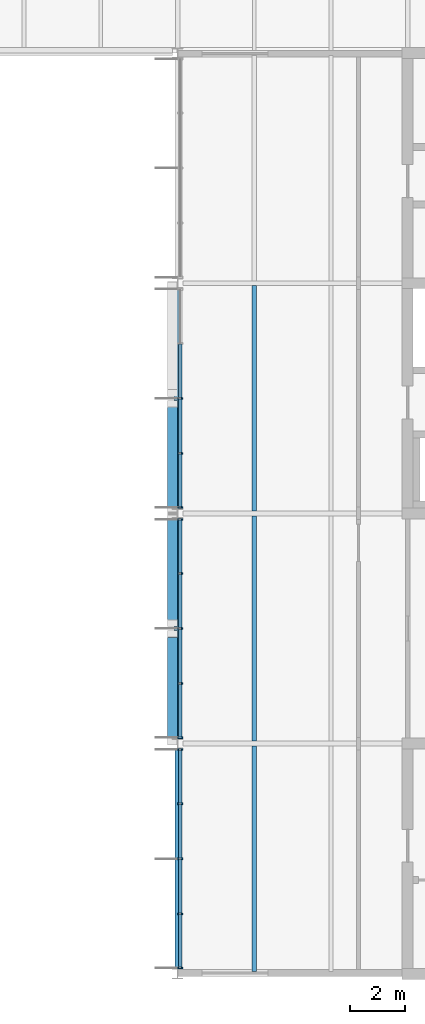
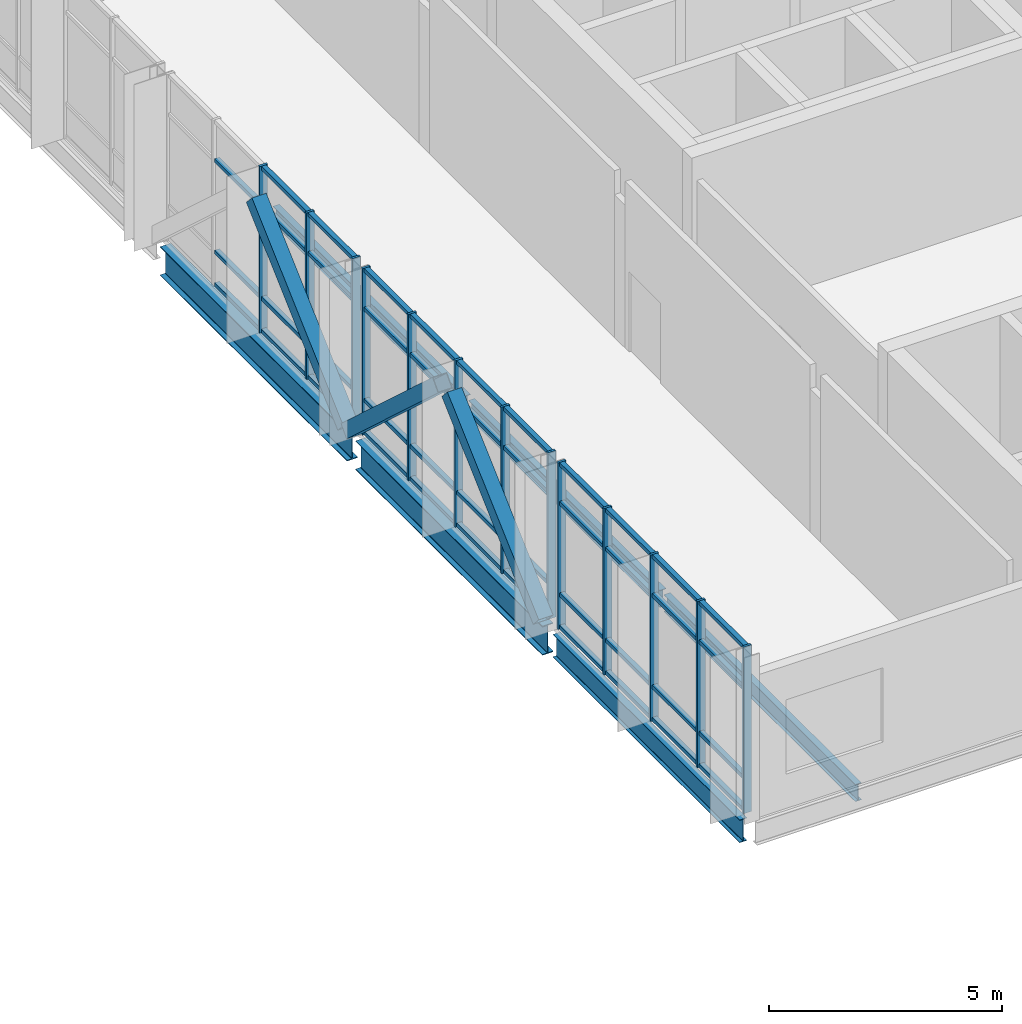
# One storey, part 5 of 26: 59 members, 6 beams, 3 elements without a shape of their own.
"""IFC4 building model written with IfcOpenShell, lengths in metres."""

from ifc_helpers import new_model, si_unit, direction, frame, origin, origin_2d, place, context, subcontext, project, spatial, rectangle, hollow_rectangle, i_section, extrude, material, material_profile, profile_set, type_object, element, aggregate, save


model = new_model("IFC4")

# Units and contexts
model_context = context("Model", 3, precision=1e-05, world=origin(), true_north=direction((0.0, 1.0)))
body_context = subcontext(model_context, "Body", "Model", "MODEL_VIEW")
ifc_project = project(units=[si_unit("LENGTHUNIT", "METRE"), si_unit("AREAUNIT", "SQUARE_METRE"), si_unit("VOLUMEUNIT", "CUBIC_METRE"), si_unit("PLANEANGLEUNIT", "RADIAN"), si_unit("MASSUNIT", "GRAM", prefix="KILO")], contexts=[model_context])

# Site, building, storey
site_placement = place(None, origin())
site = spatial("IfcSite", under=ifc_project, at=site_placement, CompositionType="ELEMENT")
building_placement = place(site_placement, origin())
building = spatial("IfcBuilding", under=site, at=building_placement, Name="Hlaing Beacon Police Headquarters", CompositionType="ELEMENT")
storey_placement = place(building_placement, frame((0.0, 0.0, 23.39990234375)))
storey = spatial("IfcBuildingStorey", under=building, at=storey_placement, Name="L05", CompositionType="ELEMENT", Elevation=23.39990234375)

# Members
ifc_material_1 = material(Name="Steel ASTM A500 Grade C", Category="steel")
ifc_material_profile_1 = material_profile(ifc_material_1, hollow_rectangle(XDim=0.355712890625, YDim=0.355712890625, WallThickness=0.0126953125, at=origin_2d()), Name="HSS14x14x1/2")
ifc_profile_set_1 = profile_set([ifc_material_profile_1], Name="Steel ASTM A500 Grade C")
member_type_1 = type_object("IfcMemberType", Name="Chevron brace HSS14x14x1/2", PredefinedType="BRACE", material=ifc_profile_set_1)
for number, where, z_axis, x_axis, name in (
    (1, (100.6181640625, 42.071044921875, 0.131103515625), (0.0, 0.73795116487, 0.674854116286), (-1.0, 0.0, 0.0), "STR-BR-L05-N6a"),
    (2, (100.6181640625, 50.3291015625, 0.131103515625), (0.0, -0.737972047652, 0.674831280309), (1.0, 0.0, 0.0), "STR-BR-L05-N6b"),
    (3, (100.6181640625, 50.470947265625, 0.131103515625), (0.0, 0.73795116487, 0.674854116286), (-1.0, 0.0, 0.0), "STR-BR-L05-N7a"),
):
    element("IfcMember", number, at=place(storey_placement, frame(where, z_axis=z_axis, x_axis=x_axis)), inside=storey, type_object=member_type_1, Name=name, PredefinedType="BRACE", context=body_context, shape_type="SweptSolid", body=[
        extrude(hollow_rectangle(XDim=0.355712890625, YDim=0.355712890625, WallThickness=0.0126953125, at=origin_2d()), origin(), (0.0, 0.0, 1.0), 5.32421875),
    ])

# Beams
ifc_material_2 = material(Name="Steel ASTM A992 Grade 50", Category="steel")
ifc_material_profile_2 = material_profile(ifc_material_2, i_section(OverallWidth=0.177978515625, OverallDepth=0.599365234375, WebThickness=0.010009765625, FlangeThickness=0.012939453125, FilletRadius=0.012939453125, at=origin_2d()), Name="W24x55")
ifc_profile_set_2 = profile_set([ifc_material_profile_2], Name="Steel ASTM A992 Grade 50")
beam_type_1 = type_object("IfcBeamType", Name="Girder W24x55", PredefinedType="BEAM", material=ifc_profile_set_2)
beam_1_placement = place(storey_placement, frame((100.800048828125, 33.783935546875, -0.4296875), z_axis=(0.0, 1.0, 0.0), x_axis=(-1.0, 0.0, 0.0)))
element("IfcBeam", 4, at=beam_1_placement, inside=storey, type_object=beam_type_1, Name="STR-BM-L05-GY-N5-N6", PredefinedType="BEAM", context=body_context, shape_type="SweptSolid", body=[
    extrude(i_section(OverallWidth=0.177978515625, OverallDepth=0.599365234375, WebThickness=0.010009765625, FlangeThickness=0.012939453125, FilletRadius=0.012939453125, at=origin_2d()), origin(), (0.0, 0.0, 1.0), 8.028076171875),
])
ifc_material_3 = material(Name="Steel ASTM A992 Grade 50", Category="steel")
ifc_material_profile_3 = material_profile(ifc_material_3, i_section(OverallWidth=0.2666015625, OverallDepth=0.761962890625, WebThickness=0.014404296875, FlangeThickness=0.021484375, FilletRadius=0.0166015625, at=origin_2d()), Name="W30x116")
ifc_profile_set_3 = profile_set([ifc_material_profile_3], Name="Steel ASTM A992 Grade 50")
beam_type_2 = type_object("IfcBeamType", Name="Girder W30x116", PredefinedType="BEAM", material=ifc_profile_set_3)
beam_2_placement = place(storey_placement, frame((100.800048828125, 42.18798828125, -0.510986328125), z_axis=(0.0, 1.0, 0.0), x_axis=(-1.0, 0.0, 0.0)))
element("IfcBeam", 5, at=beam_2_placement, inside=storey, type_object=beam_type_2, Name="STR-BM-L05-GY-N6-N7", PredefinedType="BEAM", context=body_context, shape_type="SweptSolid", body=[
    extrude(i_section(OverallWidth=0.2666015625, OverallDepth=0.761962890625, WebThickness=0.014404296875, FlangeThickness=0.021484375, FilletRadius=0.0166015625, at=origin_2d()), origin(), (0.0, 0.0, 1.0), 8.02392578125),
])
beam_3_placement = place(storey_placement, frame((100.800048828125, 50.587890625, -0.510986328125), z_axis=(0.0, 1.0, 0.0), x_axis=(-1.0, 0.0, 0.0)))
element("IfcBeam", 6, at=beam_3_placement, inside=storey, type_object=beam_type_2, Name="STR-BM-L05-GY-N7-N8", PredefinedType="BEAM", context=body_context, shape_type="SweptSolid", body=[
    extrude(i_section(OverallWidth=0.2666015625, OverallDepth=0.761962890625, WebThickness=0.014404296875, FlangeThickness=0.021484375, FilletRadius=0.0166015625, at=origin_2d()), origin(), (0.0, 0.0, 1.0), 8.024169921875),
])

# Curtain wall, members
ifc_material_4 = material(Name="Aluminium frame with solar control glazing", Category="aluminium")
curtain_wall_type = type_object("IfcCurtainWallType", Name="Unitised curtain wall 8.03 x 4.37", PredefinedType="NOTDEFINED", material=ifc_material_4)
curtain_wall_1_placement = place(storey_placement, origin())
curtain_wall_1 = element("IfcCurtainWall", 7, at=curtain_wall_1_placement, inside=storey, type_object=curtain_wall_type, Name="ENV-CW-L05-W006", PredefinedType="NOTDEFINED")
ifc_material_5 = material(Name="Aluminium", Category="aluminium")
ifc_material_profile_4 = material_profile(ifc_material_5, rectangle(XDim=0.199951171875, YDim=0.06005859375, at=origin_2d()), Name="Mullion 60x200")
ifc_profile_set_4 = profile_set([ifc_material_profile_4], Name="Aluminium")
member_type_2 = type_object("IfcMemberType", Name="Mullion 60x200", PredefinedType="MULLION", material=ifc_profile_set_4)
member_1_placement = place(storey_placement, frame((100.89990234375, 54.60009765625, 0.0), z_axis=(0.0, 0.0, 1.0), x_axis=(1.0, 0.0, 0.0)))
member_1 = element("IfcMember", 8, at=member_1_placement, type_object=member_type_2, Name="CW-L05-W006 mullion 3", PredefinedType="MULLION", context=body_context, shape_type="SweptSolid", body=[
    extrude(rectangle(XDim=0.199951171875, YDim=0.06005859375, at=origin_2d()), origin(), (0.0, 0.0, 1.0), 4.3701171875),
])
member_2_placement = place(storey_placement, frame((100.89990234375, 52.59326171875, 0.0), z_axis=(0.0, 0.0, 1.0), x_axis=(1.0, 0.0, 0.0)))
member_2 = element("IfcMember", 9, at=member_2_placement, type_object=member_type_2, Name="CW-L05-W006 mullion 4", PredefinedType="MULLION", context=body_context, shape_type="SweptSolid", body=[
    extrude(rectangle(XDim=0.199951171875, YDim=0.06005859375, at=origin_2d()), origin(), (0.0, 0.0, 1.0), 4.3701171875),
])
member_3_placement = place(storey_placement, frame((100.89990234375, 50.61669921875, 0.0), z_axis=(0.0, 0.0, 1.0), x_axis=(1.0, 0.0, 0.0)))
member_3 = element("IfcMember", 10, at=member_3_placement, type_object=member_type_2, Name="CW-L05-W006 mullion 5", PredefinedType="MULLION", context=body_context, shape_type="SweptSolid", body=[
    extrude(rectangle(XDim=0.199951171875, YDim=0.06005859375, at=origin_2d()), origin(), (0.0, 0.0, 1.0), 4.3701171875),
])

curtain_wall_2_placement = place(storey_placement, origin())
curtain_wall_2 = element("IfcCurtainWall", 11, at=curtain_wall_2_placement, inside=storey, type_object=curtain_wall_type, Name="ENV-CW-L05-W007", PredefinedType="NOTDEFINED")
member_4_placement = place(storey_placement, frame((100.89990234375, 50.183349609375, 0.0), z_axis=(0.0, 0.0, 1.0), x_axis=(1.0, 0.0, 0.0)))
member_4 = element("IfcMember", 12, at=member_4_placement, type_object=member_type_2, Name="CW-L05-W007 mullion 1", PredefinedType="MULLION", context=body_context, shape_type="SweptSolid", body=[
    extrude(rectangle(XDim=0.199951171875, YDim=0.06005859375, at=origin_2d()), origin(), (0.0, 0.0, 1.0), 4.3701171875),
])
member_5_placement = place(storey_placement, frame((100.89990234375, 48.20654296875, 0.0), z_axis=(0.0, 0.0, 1.0), x_axis=(1.0, 0.0, 0.0)))
member_5 = element("IfcMember", 13, at=member_5_placement, type_object=member_type_2, Name="CW-L05-W007 mullion 2", PredefinedType="MULLION", context=body_context, shape_type="SweptSolid", body=[
    extrude(rectangle(XDim=0.199951171875, YDim=0.06005859375, at=origin_2d()), origin(), (0.0, 0.0, 1.0), 4.3701171875),
])
member_6_placement = place(storey_placement, frame((100.89990234375, 46.199951171875, 0.0), z_axis=(0.0, 0.0, 1.0), x_axis=(1.0, 0.0, 0.0)))
member_6 = element("IfcMember", 14, at=member_6_placement, type_object=member_type_2, Name="CW-L05-W007 mullion 3", PredefinedType="MULLION", context=body_context, shape_type="SweptSolid", body=[
    extrude(rectangle(XDim=0.199951171875, YDim=0.06005859375, at=origin_2d()), origin(), (0.0, 0.0, 1.0), 4.3701171875),
])
member_7_placement = place(storey_placement, frame((100.89990234375, 44.193359375, 0.0), z_axis=(0.0, 0.0, 1.0), x_axis=(1.0, 0.0, 0.0)))
member_7 = element("IfcMember", 15, at=member_7_placement, type_object=member_type_2, Name="CW-L05-W007 mullion 4", PredefinedType="MULLION", context=body_context, shape_type="SweptSolid", body=[
    extrude(rectangle(XDim=0.199951171875, YDim=0.06005859375, at=origin_2d()), origin(), (0.0, 0.0, 1.0), 4.3701171875),
])
member_8_placement = place(storey_placement, frame((100.89990234375, 42.216796875, 0.0), z_axis=(0.0, 0.0, 1.0), x_axis=(1.0, 0.0, 0.0)))
member_8 = element("IfcMember", 16, at=member_8_placement, type_object=member_type_2, Name="CW-L05-W007 mullion 5", PredefinedType="MULLION", context=body_context, shape_type="SweptSolid", body=[
    extrude(rectangle(XDim=0.199951171875, YDim=0.06005859375, at=origin_2d()), origin(), (0.0, 0.0, 1.0), 4.3701171875),
])

curtain_wall_3_placement = place(storey_placement, origin())
curtain_wall_3 = element("IfcCurtainWall", 17, at=curtain_wall_3_placement, inside=storey, type_object=curtain_wall_type, Name="ENV-CW-L05-W008", PredefinedType="NOTDEFINED")
member_9_placement = place(storey_placement, frame((100.89990234375, 41.783203125, 0.0), z_axis=(0.0, 0.0, 1.0), x_axis=(1.0, 0.0, 0.0)))
member_9 = element("IfcMember", 18, at=member_9_placement, type_object=member_type_2, Name="CW-L05-W008 mullion 1", PredefinedType="MULLION", context=body_context, shape_type="SweptSolid", body=[
    extrude(rectangle(XDim=0.199951171875, YDim=0.06005859375, at=origin_2d()), origin(), (0.0, 0.0, 1.0), 4.3701171875),
])
member_10_placement = place(storey_placement, frame((100.89990234375, 39.805419921875, 0.0), z_axis=(0.0, 0.0, 1.0), x_axis=(1.0, 0.0, 0.0)))
member_10 = element("IfcMember", 19, at=member_10_placement, type_object=member_type_2, Name="CW-L05-W008 mullion 2", PredefinedType="MULLION", context=body_context, shape_type="SweptSolid", body=[
    extrude(rectangle(XDim=0.199951171875, YDim=0.06005859375, at=origin_2d()), origin(), (0.0, 0.0, 1.0), 4.3701171875),
])
member_11_placement = place(storey_placement, frame((100.89990234375, 37.79736328125, 0.0), z_axis=(0.0, 0.0, 1.0), x_axis=(1.0, 0.0, 0.0)))
member_11 = element("IfcMember", 20, at=member_11_placement, type_object=member_type_2, Name="CW-L05-W008 mullion 3", PredefinedType="MULLION", context=body_context, shape_type="SweptSolid", body=[
    extrude(rectangle(XDim=0.199951171875, YDim=0.06005859375, at=origin_2d()), origin(), (0.0, 0.0, 1.0), 4.3701171875),
])
member_12_placement = place(storey_placement, frame((100.89990234375, 35.78955078125, 0.0), z_axis=(0.0, 0.0, 1.0), x_axis=(1.0, 0.0, 0.0)))
member_12 = element("IfcMember", 21, at=member_12_placement, type_object=member_type_2, Name="CW-L05-W008 mullion 4", PredefinedType="MULLION", context=body_context, shape_type="SweptSolid", body=[
    extrude(rectangle(XDim=0.199951171875, YDim=0.06005859375, at=origin_2d()), origin(), (0.0, 0.0, 1.0), 4.3701171875),
])
member_13_placement = place(storey_placement, frame((100.89990234375, 33.8115234375, 0.0), z_axis=(0.0, 0.0, 1.0), x_axis=(1.0, 0.0, 0.0)))
member_13 = element("IfcMember", 22, at=member_13_placement, type_object=member_type_2, Name="CW-L05-W008 mullion 5", PredefinedType="MULLION", context=body_context, shape_type="SweptSolid", body=[
    extrude(rectangle(XDim=0.199951171875, YDim=0.06005859375, at=origin_2d()), origin(), (0.0, 0.0, 1.0), 4.3701171875),
])

# Beams
ifc_material_6 = material(Name="Steel ASTM A992 Grade 50", Category="steel")
ifc_material_profile_5 = material_profile(ifc_material_6, i_section(OverallWidth=0.15234375, OverallDepth=0.449462890625, WebThickness=0.007568359375, FlangeThickness=0.0107421875, FilletRadius=0.01025390625, at=origin_2d()), Name="W18x35")
ifc_profile_set_5 = profile_set([ifc_material_profile_5], Name="Steel ASTM A992 Grade 50")
beam_type_3 = type_object("IfcBeamType", Name="Secondary beam W18x35", PredefinedType="BEAM", material=ifc_profile_set_5)
for number, where, z_axis, x_axis, name in (
    (23, (103.60009765625, 33.68896484375, -0.354736328125), (0.0, 1.0, 0.0), (-1.0, 0.0, 0.0), "STR-BM-L05-SB-N5-y1"),
    (24, (103.60009765625, 42.089111328125, -0.354736328125), (0.0, 1.0, 0.0), (-1.0, 0.0, 0.0), "STR-BM-L05-SB-N6-y1"),
    (25, (103.60009765625, 50.489013671875, -0.354736328125), (0.0, 1.0, 0.0), (-1.0, 0.0, 0.0), "STR-BM-L05-SB-N7-y1"),
):
    element("IfcBeam", number, at=place(storey_placement, frame(where, z_axis=z_axis, x_axis=x_axis)), inside=storey, type_object=beam_type_3, Name=name, PredefinedType="BEAM", context=body_context, shape_type="SweptSolid", body=[
        extrude(i_section(OverallWidth=0.15234375, OverallDepth=0.449462890625, WebThickness=0.007568359375, FlangeThickness=0.0107421875, FilletRadius=0.01025390625, at=origin_2d()), origin(), (0.0, 0.0, 1.0), 8.221923828125),
    ])

# Member
ifc_material_7 = material(Name="Aluminium", Category="aluminium")
ifc_material_profile_6 = material_profile(ifc_material_7, rectangle(XDim=0.1201171875, YDim=0.10009765625, at=origin_2d()), Name="Transom 120x100")
ifc_profile_set_6 = profile_set([ifc_material_profile_6], Name="Aluminium")
member_type_3 = type_object("IfcMemberType", Name="Transom 120x100", PredefinedType="USERDEFINED", material=ifc_profile_set_6)
member_14_placement = place(storey_placement, frame((100.89990234375, 56.57666015625, 0.050048828125), z_axis=(0.0, -1.0, 0.0), x_axis=(1.0, 0.0, 0.0)))
member_14 = element("IfcMember", 26, at=member_14_placement, type_object=member_type_3, Name="CW-L05-W006 transom 2.1", ObjectType="TRANSOM", PredefinedType="USERDEFINED", context=body_context, shape_type="SweptSolid", body=[
    extrude(rectangle(XDim=0.1201171875, YDim=0.10009765625, at=origin_2d()), origin(), (0.0, 0.0, 1.0), 1.94677734375),
])

member_15_placement = place(storey_placement, frame((100.89990234375, 56.57666015625, 0.900146484375), z_axis=(0.0, -1.0, 0.0), x_axis=(1.0, 0.0, 0.0)))
member_15 = element("IfcMember", 27, at=member_15_placement, type_object=member_type_3, Name="CW-L05-W006 transom 2.2", ObjectType="TRANSOM", PredefinedType="USERDEFINED", context=body_context, shape_type="SweptSolid", body=[
    extrude(rectangle(XDim=0.1201171875, YDim=0.10009765625, at=origin_2d()), origin(), (0.0, 0.0, 1.0), 1.94677734375),
])

member_16_placement = place(storey_placement, frame((100.89990234375, 56.57666015625, 3.300048828125), z_axis=(0.0, -1.0, 0.0), x_axis=(1.0, 0.0, 0.0)))
member_16 = element("IfcMember", 28, at=member_16_placement, type_object=member_type_3, Name="CW-L05-W006 transom 2.3", ObjectType="TRANSOM", PredefinedType="USERDEFINED", context=body_context, shape_type="SweptSolid", body=[
    extrude(rectangle(XDim=0.1201171875, YDim=0.10009765625, at=origin_2d()), origin(), (0.0, 0.0, 1.0), 1.94677734375),
])

member_17_placement = place(storey_placement, frame((100.89990234375, 54.570068359375, 0.050048828125), z_axis=(0.0, -1.0, 0.0), x_axis=(1.0, 0.0, 0.0)))
member_17 = element("IfcMember", 29, at=member_17_placement, type_object=member_type_3, Name="CW-L05-W006 transom 3.1", ObjectType="TRANSOM", PredefinedType="USERDEFINED", context=body_context, shape_type="SweptSolid", body=[
    extrude(rectangle(XDim=0.1201171875, YDim=0.10009765625, at=origin_2d()), origin(), (0.0, 0.0, 1.0), 1.94677734375),
])

member_18_placement = place(storey_placement, frame((100.89990234375, 54.570068359375, 0.900146484375), z_axis=(0.0, -1.0, 0.0), x_axis=(1.0, 0.0, 0.0)))
member_18 = element("IfcMember", 30, at=member_18_placement, type_object=member_type_3, Name="CW-L05-W006 transom 3.2", ObjectType="TRANSOM", PredefinedType="USERDEFINED", context=body_context, shape_type="SweptSolid", body=[
    extrude(rectangle(XDim=0.1201171875, YDim=0.10009765625, at=origin_2d()), origin(), (0.0, 0.0, 1.0), 1.94677734375),
])

member_19_placement = place(storey_placement, frame((100.89990234375, 54.570068359375, 3.300048828125), z_axis=(0.0, -1.0, 0.0), x_axis=(1.0, 0.0, 0.0)))
member_19 = element("IfcMember", 31, at=member_19_placement, type_object=member_type_3, Name="CW-L05-W006 transom 3.3", ObjectType="TRANSOM", PredefinedType="USERDEFINED", context=body_context, shape_type="SweptSolid", body=[
    extrude(rectangle(XDim=0.1201171875, YDim=0.10009765625, at=origin_2d()), origin(), (0.0, 0.0, 1.0), 1.94677734375),
])

member_20_placement = place(storey_placement, frame((100.89990234375, 54.570068359375, 4.320068359375), z_axis=(0.0, -1.0, 0.0), x_axis=(1.0, 0.0, 0.0)))
member_20 = element("IfcMember", 32, at=member_20_placement, type_object=member_type_3, Name="CW-L05-W006 transom 3.4", ObjectType="TRANSOM", PredefinedType="USERDEFINED", context=body_context, shape_type="SweptSolid", body=[
    extrude(rectangle(XDim=0.1201171875, YDim=0.10009765625, at=origin_2d()), origin(), (0.0, 0.0, 1.0), 1.94677734375),
])

member_21_placement = place(storey_placement, frame((100.89990234375, 52.563232421875, 0.050048828125), z_axis=(0.0, -1.0, 0.0), x_axis=(1.0, 0.0, 0.0)))
member_21 = element("IfcMember", 33, at=member_21_placement, type_object=member_type_3, Name="CW-L05-W006 transom 4.1", ObjectType="TRANSOM", PredefinedType="USERDEFINED", context=body_context, shape_type="SweptSolid", body=[
    extrude(rectangle(XDim=0.1201171875, YDim=0.10009765625, at=origin_2d()), origin(), (0.0, 0.0, 1.0), 1.91650390625),
])

member_22_placement = place(storey_placement, frame((100.89990234375, 52.563232421875, 0.900146484375), z_axis=(0.0, -1.0, 0.0), x_axis=(1.0, 0.0, 0.0)))
member_22 = element("IfcMember", 34, at=member_22_placement, type_object=member_type_3, Name="CW-L05-W006 transom 4.2", ObjectType="TRANSOM", PredefinedType="USERDEFINED", context=body_context, shape_type="SweptSolid", body=[
    extrude(rectangle(XDim=0.1201171875, YDim=0.10009765625, at=origin_2d()), origin(), (0.0, 0.0, 1.0), 1.91650390625),
])

member_23_placement = place(storey_placement, frame((100.89990234375, 52.563232421875, 3.300048828125), z_axis=(0.0, -1.0, 0.0), x_axis=(1.0, 0.0, 0.0)))
member_23 = element("IfcMember", 35, at=member_23_placement, type_object=member_type_3, Name="CW-L05-W006 transom 4.3", ObjectType="TRANSOM", PredefinedType="USERDEFINED", context=body_context, shape_type="SweptSolid", body=[
    extrude(rectangle(XDim=0.1201171875, YDim=0.10009765625, at=origin_2d()), origin(), (0.0, 0.0, 1.0), 1.91650390625),
])

member_24_placement = place(storey_placement, frame((100.89990234375, 52.563232421875, 4.320068359375), z_axis=(0.0, -1.0, 0.0), x_axis=(1.0, 0.0, 0.0)))
member_24 = element("IfcMember", 36, at=member_24_placement, type_object=member_type_3, Name="CW-L05-W006 transom 4.4", ObjectType="TRANSOM", PredefinedType="USERDEFINED", context=body_context, shape_type="SweptSolid", body=[
    extrude(rectangle(XDim=0.1201171875, YDim=0.10009765625, at=origin_2d()), origin(), (0.0, 0.0, 1.0), 1.91650390625),
])

aggregate(curtain_wall_1, [member_1, member_2, member_3, member_14, member_15, member_16, member_17, member_18, member_19, member_20, member_21, member_22, member_23, member_24])

member_25_placement = place(storey_placement, frame((100.89990234375, 50.1533203125, 0.050048828125), z_axis=(0.0, -1.0, 0.0), x_axis=(1.0, 0.0, 0.0)))
member_25 = element("IfcMember", 37, at=member_25_placement, type_object=member_type_3, Name="CW-L05-W007 transom 1.1", ObjectType="TRANSOM", PredefinedType="USERDEFINED", context=body_context, shape_type="SweptSolid", body=[
    extrude(rectangle(XDim=0.1201171875, YDim=0.10009765625, at=origin_2d()), origin(), (0.0, 0.0, 1.0), 1.916748046875),
])

member_26_placement = place(storey_placement, frame((100.89990234375, 50.1533203125, 0.900146484375), z_axis=(0.0, -1.0, 0.0), x_axis=(1.0, 0.0, 0.0)))
member_26 = element("IfcMember", 38, at=member_26_placement, type_object=member_type_3, Name="CW-L05-W007 transom 1.2", ObjectType="TRANSOM", PredefinedType="USERDEFINED", context=body_context, shape_type="SweptSolid", body=[
    extrude(rectangle(XDim=0.1201171875, YDim=0.10009765625, at=origin_2d()), origin(), (0.0, 0.0, 1.0), 1.916748046875),
])

member_27_placement = place(storey_placement, frame((100.89990234375, 50.1533203125, 3.300048828125), z_axis=(0.0, -1.0, 0.0), x_axis=(1.0, 0.0, 0.0)))
member_27 = element("IfcMember", 39, at=member_27_placement, type_object=member_type_3, Name="CW-L05-W007 transom 1.3", ObjectType="TRANSOM", PredefinedType="USERDEFINED", context=body_context, shape_type="SweptSolid", body=[
    extrude(rectangle(XDim=0.1201171875, YDim=0.10009765625, at=origin_2d()), origin(), (0.0, 0.0, 1.0), 1.916748046875),
])

member_28_placement = place(storey_placement, frame((100.89990234375, 50.1533203125, 4.320068359375), z_axis=(0.0, -1.0, 0.0), x_axis=(1.0, 0.0, 0.0)))
member_28 = element("IfcMember", 40, at=member_28_placement, type_object=member_type_3, Name="CW-L05-W007 transom 1.4", ObjectType="TRANSOM", PredefinedType="USERDEFINED", context=body_context, shape_type="SweptSolid", body=[
    extrude(rectangle(XDim=0.1201171875, YDim=0.10009765625, at=origin_2d()), origin(), (0.0, 0.0, 1.0), 1.916748046875),
])

member_29_placement = place(storey_placement, frame((100.89990234375, 48.1767578125, 0.050048828125), z_axis=(0.0, -1.0, 0.0), x_axis=(1.0, 0.0, 0.0)))
member_29 = element("IfcMember", 41, at=member_29_placement, type_object=member_type_3, Name="CW-L05-W007 transom 2.1", ObjectType="TRANSOM", PredefinedType="USERDEFINED", context=body_context, shape_type="SweptSolid", body=[
    extrude(rectangle(XDim=0.1201171875, YDim=0.10009765625, at=origin_2d()), origin(), (0.0, 0.0, 1.0), 1.94677734375),
])

member_30_placement = place(storey_placement, frame((100.89990234375, 48.1767578125, 0.900146484375), z_axis=(0.0, -1.0, 0.0), x_axis=(1.0, 0.0, 0.0)))
member_30 = element("IfcMember", 42, at=member_30_placement, type_object=member_type_3, Name="CW-L05-W007 transom 2.2", ObjectType="TRANSOM", PredefinedType="USERDEFINED", context=body_context, shape_type="SweptSolid", body=[
    extrude(rectangle(XDim=0.1201171875, YDim=0.10009765625, at=origin_2d()), origin(), (0.0, 0.0, 1.0), 1.94677734375),
])

member_31_placement = place(storey_placement, frame((100.89990234375, 48.1767578125, 3.300048828125), z_axis=(0.0, -1.0, 0.0), x_axis=(1.0, 0.0, 0.0)))
member_31 = element("IfcMember", 43, at=member_31_placement, type_object=member_type_3, Name="CW-L05-W007 transom 2.3", ObjectType="TRANSOM", PredefinedType="USERDEFINED", context=body_context, shape_type="SweptSolid", body=[
    extrude(rectangle(XDim=0.1201171875, YDim=0.10009765625, at=origin_2d()), origin(), (0.0, 0.0, 1.0), 1.94677734375),
])

member_32_placement = place(storey_placement, frame((100.89990234375, 48.1767578125, 4.320068359375), z_axis=(0.0, -1.0, 0.0), x_axis=(1.0, 0.0, 0.0)))
member_32 = element("IfcMember", 44, at=member_32_placement, type_object=member_type_3, Name="CW-L05-W007 transom 2.4", ObjectType="TRANSOM", PredefinedType="USERDEFINED", context=body_context, shape_type="SweptSolid", body=[
    extrude(rectangle(XDim=0.1201171875, YDim=0.10009765625, at=origin_2d()), origin(), (0.0, 0.0, 1.0), 1.94677734375),
])

member_33_placement = place(storey_placement, frame((100.89990234375, 46.169921875, 0.050048828125), z_axis=(0.0, -1.0, 0.0), x_axis=(1.0, 0.0, 0.0)))
member_33 = element("IfcMember", 45, at=member_33_placement, type_object=member_type_3, Name="CW-L05-W007 transom 3.1", ObjectType="TRANSOM", PredefinedType="USERDEFINED", context=body_context, shape_type="SweptSolid", body=[
    extrude(rectangle(XDim=0.1201171875, YDim=0.10009765625, at=origin_2d()), origin(), (0.0, 0.0, 1.0), 1.946533203125),
])

member_34_placement = place(storey_placement, frame((100.89990234375, 46.169921875, 0.900146484375), z_axis=(0.0, -1.0, 0.0), x_axis=(1.0, 0.0, 0.0)))
member_34 = element("IfcMember", 46, at=member_34_placement, type_object=member_type_3, Name="CW-L05-W007 transom 3.2", ObjectType="TRANSOM", PredefinedType="USERDEFINED", context=body_context, shape_type="SweptSolid", body=[
    extrude(rectangle(XDim=0.1201171875, YDim=0.10009765625, at=origin_2d()), origin(), (0.0, 0.0, 1.0), 1.946533203125),
])

member_35_placement = place(storey_placement, frame((100.89990234375, 46.169921875, 3.300048828125), z_axis=(0.0, -1.0, 0.0), x_axis=(1.0, 0.0, 0.0)))
member_35 = element("IfcMember", 47, at=member_35_placement, type_object=member_type_3, Name="CW-L05-W007 transom 3.3", ObjectType="TRANSOM", PredefinedType="USERDEFINED", context=body_context, shape_type="SweptSolid", body=[
    extrude(rectangle(XDim=0.1201171875, YDim=0.10009765625, at=origin_2d()), origin(), (0.0, 0.0, 1.0), 1.946533203125),
])

member_36_placement = place(storey_placement, frame((100.89990234375, 46.169921875, 4.320068359375), z_axis=(0.0, -1.0, 0.0), x_axis=(1.0, 0.0, 0.0)))
member_36 = element("IfcMember", 48, at=member_36_placement, type_object=member_type_3, Name="CW-L05-W007 transom 3.4", ObjectType="TRANSOM", PredefinedType="USERDEFINED", context=body_context, shape_type="SweptSolid", body=[
    extrude(rectangle(XDim=0.1201171875, YDim=0.10009765625, at=origin_2d()), origin(), (0.0, 0.0, 1.0), 1.946533203125),
])

member_37_placement = place(storey_placement, frame((100.89990234375, 44.163330078125, 0.050048828125), z_axis=(0.0, -1.0, 0.0), x_axis=(1.0, 0.0, 0.0)))
member_37 = element("IfcMember", 49, at=member_37_placement, type_object=member_type_3, Name="CW-L05-W007 transom 4.1", ObjectType="TRANSOM", PredefinedType="USERDEFINED", context=body_context, shape_type="SweptSolid", body=[
    extrude(rectangle(XDim=0.1201171875, YDim=0.10009765625, at=origin_2d()), origin(), (0.0, 0.0, 1.0), 1.916748046875),
])

member_38_placement = place(storey_placement, frame((100.89990234375, 44.163330078125, 0.900146484375), z_axis=(0.0, -1.0, 0.0), x_axis=(1.0, 0.0, 0.0)))
member_38 = element("IfcMember", 50, at=member_38_placement, type_object=member_type_3, Name="CW-L05-W007 transom 4.2", ObjectType="TRANSOM", PredefinedType="USERDEFINED", context=body_context, shape_type="SweptSolid", body=[
    extrude(rectangle(XDim=0.1201171875, YDim=0.10009765625, at=origin_2d()), origin(), (0.0, 0.0, 1.0), 1.916748046875),
])

member_39_placement = place(storey_placement, frame((100.89990234375, 44.163330078125, 3.300048828125), z_axis=(0.0, -1.0, 0.0), x_axis=(1.0, 0.0, 0.0)))
member_39 = element("IfcMember", 51, at=member_39_placement, type_object=member_type_3, Name="CW-L05-W007 transom 4.3", ObjectType="TRANSOM", PredefinedType="USERDEFINED", context=body_context, shape_type="SweptSolid", body=[
    extrude(rectangle(XDim=0.1201171875, YDim=0.10009765625, at=origin_2d()), origin(), (0.0, 0.0, 1.0), 1.916748046875),
])

member_40_placement = place(storey_placement, frame((100.89990234375, 44.163330078125, 4.320068359375), z_axis=(0.0, -1.0, 0.0), x_axis=(1.0, 0.0, 0.0)))
member_40 = element("IfcMember", 52, at=member_40_placement, type_object=member_type_3, Name="CW-L05-W007 transom 4.4", ObjectType="TRANSOM", PredefinedType="USERDEFINED", context=body_context, shape_type="SweptSolid", body=[
    extrude(rectangle(XDim=0.1201171875, YDim=0.10009765625, at=origin_2d()), origin(), (0.0, 0.0, 1.0), 1.916748046875),
])

aggregate(curtain_wall_2, [member_4, member_5, member_6, member_7, member_8, member_25, member_26, member_27, member_28, member_29, member_30, member_31, member_32, member_33, member_34, member_35, member_36, member_37, member_38, member_39, member_40])

member_41_placement = place(storey_placement, frame((100.89990234375, 41.75341796875, 0.050048828125), z_axis=(0.0, -1.0, 0.0), x_axis=(1.0, 0.0, 0.0)))
member_41 = element("IfcMember", 53, at=member_41_placement, type_object=member_type_3, Name="CW-L05-W008 transom 1.1", ObjectType="TRANSOM", PredefinedType="USERDEFINED", context=body_context, shape_type="SweptSolid", body=[
    extrude(rectangle(XDim=0.1201171875, YDim=0.10009765625, at=origin_2d()), origin(), (0.0, 0.0, 1.0), 1.91796875),
])

member_42_placement = place(storey_placement, frame((100.89990234375, 41.75341796875, 0.900146484375), z_axis=(0.0, -1.0, 0.0), x_axis=(1.0, 0.0, 0.0)))
member_42 = element("IfcMember", 54, at=member_42_placement, type_object=member_type_3, Name="CW-L05-W008 transom 1.2", ObjectType="TRANSOM", PredefinedType="USERDEFINED", context=body_context, shape_type="SweptSolid", body=[
    extrude(rectangle(XDim=0.1201171875, YDim=0.10009765625, at=origin_2d()), origin(), (0.0, 0.0, 1.0), 1.91796875),
])

member_43_placement = place(storey_placement, frame((100.89990234375, 41.75341796875, 3.300048828125), z_axis=(0.0, -1.0, 0.0), x_axis=(1.0, 0.0, 0.0)))
member_43 = element("IfcMember", 55, at=member_43_placement, type_object=member_type_3, Name="CW-L05-W008 transom 1.3", ObjectType="TRANSOM", PredefinedType="USERDEFINED", context=body_context, shape_type="SweptSolid", body=[
    extrude(rectangle(XDim=0.1201171875, YDim=0.10009765625, at=origin_2d()), origin(), (0.0, 0.0, 1.0), 1.91796875),
])

member_44_placement = place(storey_placement, frame((100.89990234375, 41.75341796875, 4.320068359375), z_axis=(0.0, -1.0, 0.0), x_axis=(1.0, 0.0, 0.0)))
member_44 = element("IfcMember", 56, at=member_44_placement, type_object=member_type_3, Name="CW-L05-W008 transom 1.4", ObjectType="TRANSOM", PredefinedType="USERDEFINED", context=body_context, shape_type="SweptSolid", body=[
    extrude(rectangle(XDim=0.1201171875, YDim=0.10009765625, at=origin_2d()), origin(), (0.0, 0.0, 1.0), 1.91796875),
])

member_45_placement = place(storey_placement, frame((100.89990234375, 39.775390625, 0.050048828125), z_axis=(0.0, -1.0, 0.0), x_axis=(1.0, 0.0, 0.0)))
member_45 = element("IfcMember", 57, at=member_45_placement, type_object=member_type_3, Name="CW-L05-W008 transom 2.1", ObjectType="TRANSOM", PredefinedType="USERDEFINED", context=body_context, shape_type="SweptSolid", body=[
    extrude(rectangle(XDim=0.1201171875, YDim=0.10009765625, at=origin_2d()), origin(), (0.0, 0.0, 1.0), 1.947998046875),
])

member_46_placement = place(storey_placement, frame((100.89990234375, 39.775390625, 0.900146484375), z_axis=(0.0, -1.0, 0.0), x_axis=(1.0, 0.0, 0.0)))
member_46 = element("IfcMember", 58, at=member_46_placement, type_object=member_type_3, Name="CW-L05-W008 transom 2.2", ObjectType="TRANSOM", PredefinedType="USERDEFINED", context=body_context, shape_type="SweptSolid", body=[
    extrude(rectangle(XDim=0.1201171875, YDim=0.10009765625, at=origin_2d()), origin(), (0.0, 0.0, 1.0), 1.947998046875),
])

member_47_placement = place(storey_placement, frame((100.89990234375, 39.775390625, 3.300048828125), z_axis=(0.0, -1.0, 0.0), x_axis=(1.0, 0.0, 0.0)))
member_47 = element("IfcMember", 59, at=member_47_placement, type_object=member_type_3, Name="CW-L05-W008 transom 2.3", ObjectType="TRANSOM", PredefinedType="USERDEFINED", context=body_context, shape_type="SweptSolid", body=[
    extrude(rectangle(XDim=0.1201171875, YDim=0.10009765625, at=origin_2d()), origin(), (0.0, 0.0, 1.0), 1.947998046875),
])

member_48_placement = place(storey_placement, frame((100.89990234375, 39.775390625, 4.320068359375), z_axis=(0.0, -1.0, 0.0), x_axis=(1.0, 0.0, 0.0)))
member_48 = element("IfcMember", 60, at=member_48_placement, type_object=member_type_3, Name="CW-L05-W008 transom 2.4", ObjectType="TRANSOM", PredefinedType="USERDEFINED", context=body_context, shape_type="SweptSolid", body=[
    extrude(rectangle(XDim=0.1201171875, YDim=0.10009765625, at=origin_2d()), origin(), (0.0, 0.0, 1.0), 1.947998046875),
])

member_49_placement = place(storey_placement, frame((100.89990234375, 37.767333984375, 0.050048828125), z_axis=(0.0, -1.0, 0.0), x_axis=(1.0, 0.0, 0.0)))
member_49 = element("IfcMember", 61, at=member_49_placement, type_object=member_type_3, Name="CW-L05-W008 transom 3.1", ObjectType="TRANSOM", PredefinedType="USERDEFINED", context=body_context, shape_type="SweptSolid", body=[
    extrude(rectangle(XDim=0.1201171875, YDim=0.10009765625, at=origin_2d()), origin(), (0.0, 0.0, 1.0), 1.94775390625),
])

member_50_placement = place(storey_placement, frame((100.89990234375, 37.767333984375, 0.900146484375), z_axis=(0.0, -1.0, 0.0), x_axis=(1.0, 0.0, 0.0)))
member_50 = element("IfcMember", 62, at=member_50_placement, type_object=member_type_3, Name="CW-L05-W008 transom 3.2", ObjectType="TRANSOM", PredefinedType="USERDEFINED", context=body_context, shape_type="SweptSolid", body=[
    extrude(rectangle(XDim=0.1201171875, YDim=0.10009765625, at=origin_2d()), origin(), (0.0, 0.0, 1.0), 1.94775390625),
])

member_51_placement = place(storey_placement, frame((100.89990234375, 37.767333984375, 3.300048828125), z_axis=(0.0, -1.0, 0.0), x_axis=(1.0, 0.0, 0.0)))
member_51 = element("IfcMember", 63, at=member_51_placement, type_object=member_type_3, Name="CW-L05-W008 transom 3.3", ObjectType="TRANSOM", PredefinedType="USERDEFINED", context=body_context, shape_type="SweptSolid", body=[
    extrude(rectangle(XDim=0.1201171875, YDim=0.10009765625, at=origin_2d()), origin(), (0.0, 0.0, 1.0), 1.94775390625),
])

member_52_placement = place(storey_placement, frame((100.89990234375, 37.767333984375, 4.320068359375), z_axis=(0.0, -1.0, 0.0), x_axis=(1.0, 0.0, 0.0)))
member_52 = element("IfcMember", 64, at=member_52_placement, type_object=member_type_3, Name="CW-L05-W008 transom 3.4", ObjectType="TRANSOM", PredefinedType="USERDEFINED", context=body_context, shape_type="SweptSolid", body=[
    extrude(rectangle(XDim=0.1201171875, YDim=0.10009765625, at=origin_2d()), origin(), (0.0, 0.0, 1.0), 1.94775390625),
])

member_53_placement = place(storey_placement, frame((100.89990234375, 35.759521484375, 0.050048828125), z_axis=(0.0, -1.0, 0.0), x_axis=(1.0, 0.0, 0.0)))
member_53 = element("IfcMember", 65, at=member_53_placement, type_object=member_type_3, Name="CW-L05-W008 transom 4.1", ObjectType="TRANSOM", PredefinedType="USERDEFINED", context=body_context, shape_type="SweptSolid", body=[
    extrude(rectangle(XDim=0.1201171875, YDim=0.10009765625, at=origin_2d()), origin(), (0.0, 0.0, 1.0), 1.91796875),
])

member_54_placement = place(storey_placement, frame((100.89990234375, 35.759521484375, 0.900146484375), z_axis=(0.0, -1.0, 0.0), x_axis=(1.0, 0.0, 0.0)))
member_54 = element("IfcMember", 66, at=member_54_placement, type_object=member_type_3, Name="CW-L05-W008 transom 4.2", ObjectType="TRANSOM", PredefinedType="USERDEFINED", context=body_context, shape_type="SweptSolid", body=[
    extrude(rectangle(XDim=0.1201171875, YDim=0.10009765625, at=origin_2d()), origin(), (0.0, 0.0, 1.0), 1.91796875),
])

member_55_placement = place(storey_placement, frame((100.89990234375, 35.759521484375, 3.300048828125), z_axis=(0.0, -1.0, 0.0), x_axis=(1.0, 0.0, 0.0)))
member_55 = element("IfcMember", 67, at=member_55_placement, type_object=member_type_3, Name="CW-L05-W008 transom 4.3", ObjectType="TRANSOM", PredefinedType="USERDEFINED", context=body_context, shape_type="SweptSolid", body=[
    extrude(rectangle(XDim=0.1201171875, YDim=0.10009765625, at=origin_2d()), origin(), (0.0, 0.0, 1.0), 1.91796875),
])

member_56_placement = place(storey_placement, frame((100.89990234375, 35.759521484375, 4.320068359375), z_axis=(0.0, -1.0, 0.0), x_axis=(1.0, 0.0, 0.0)))
member_56 = element("IfcMember", 68, at=member_56_placement, type_object=member_type_3, Name="CW-L05-W008 transom 4.4", ObjectType="TRANSOM", PredefinedType="USERDEFINED", context=body_context, shape_type="SweptSolid", body=[
    extrude(rectangle(XDim=0.1201171875, YDim=0.10009765625, at=origin_2d()), origin(), (0.0, 0.0, 1.0), 1.91796875),
])

aggregate(curtain_wall_3, [member_9, member_10, member_11, member_12, member_13, member_41, member_42, member_43, member_44, member_45, member_46, member_47, member_48, member_49, member_50, member_51, member_52, member_53, member_54, member_55, member_56])

save(model, "model.ifc")
